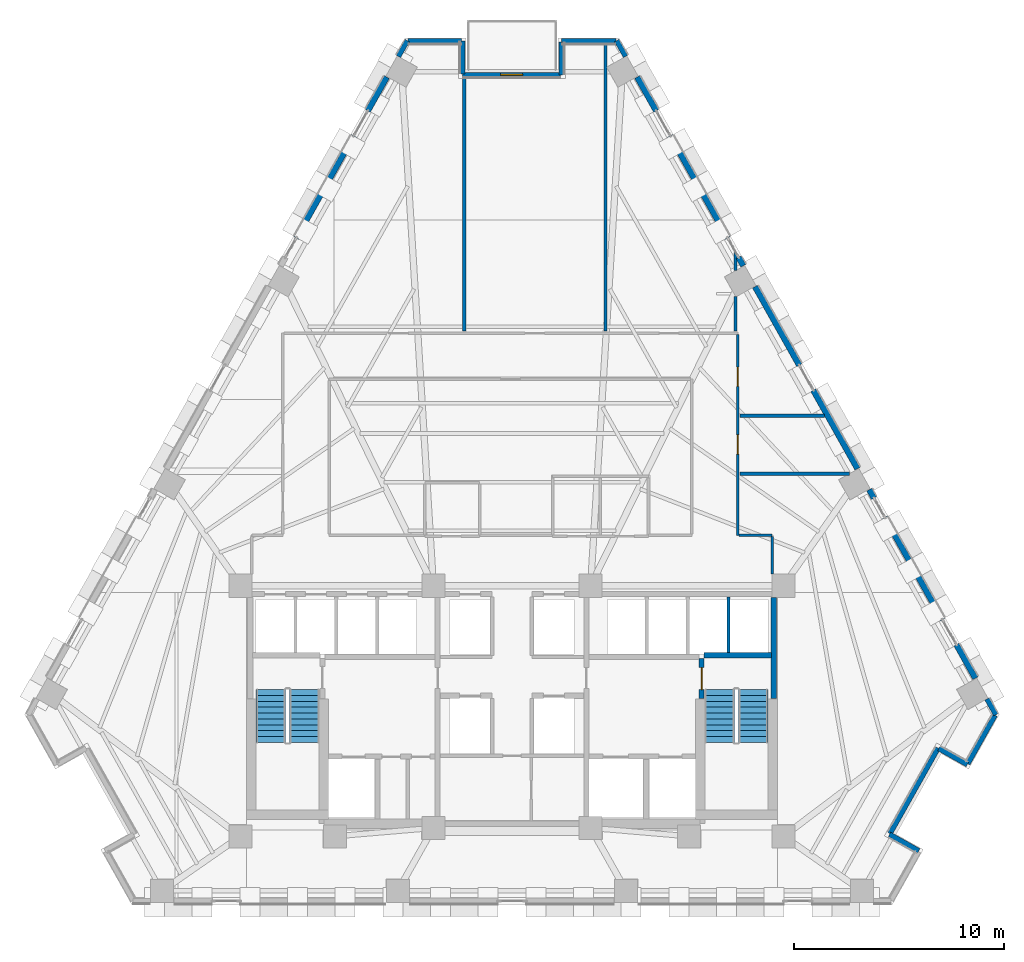
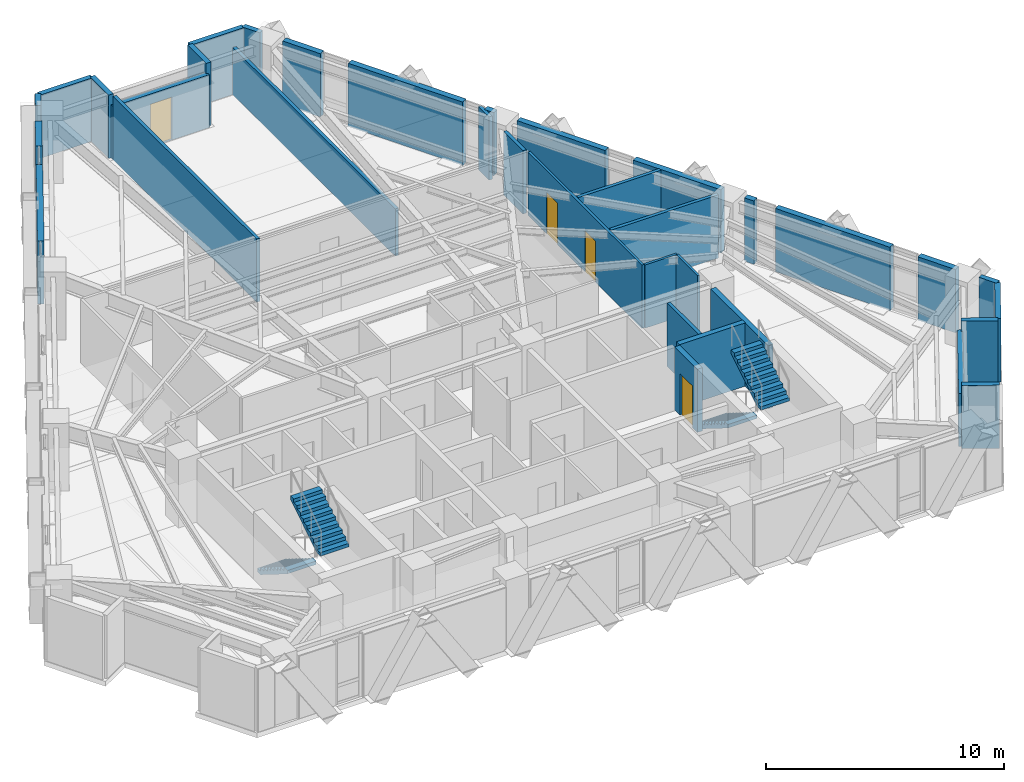
# One storey, part 9 of 13: 35 walls, 4 doors, 4 stair flights, 4 openings, 2 elements without a shape of their own.
"""IFC4 building model written with IfcOpenShell, lengths in metres."""

from ifc_helpers import new_model, si_unit, direction, frame, frame_2d, origin, place, context, subcontext, project, spatial, polyline, rectangle, outline, extrude, material, layer, layer_set, type_object, element, fill, aggregate, save


model = new_model("IFC4")

# Units and contexts
model_context = context("Model", 3, precision=1e-05, world=origin(), true_north=direction((0.0, 1.0)))
body_context = subcontext(model_context, "Body", "Model", "MODEL_VIEW")
ifc_project = project(units=[si_unit("LENGTHUNIT", "METRE"), si_unit("AREAUNIT", "SQUARE_METRE"), si_unit("VOLUMEUNIT", "CUBIC_METRE"), si_unit("PLANEANGLEUNIT", "RADIAN"), si_unit("MASSUNIT", "GRAM", prefix="KILO")], contexts=[model_context])

# Site, building, storey
site_placement = place(None, origin())
site = spatial("IfcSite", under=ifc_project, at=site_placement, CompositionType="ELEMENT")
building_placement = place(site_placement, origin())
building = spatial("IfcBuilding", under=site, at=building_placement, Name="Quenlor Broadcast Tower", CompositionType="ELEMENT")
storey_placement = place(building_placement, frame((0.0, 0.0, 95.0)))
storey = spatial("IfcBuildingStorey", under=building, at=storey_placement, Name="L25", CompositionType="ELEMENT", Elevation=95.0)

# Wall, opening, door
ifc_material_1 = material(Name="Concrete C40/50", Category="concrete")
ifc_layer_1 = layer(ifc_material_1, 0.25)
ifc_layer_set_1 = layer_set([ifc_layer_1], Name="Fire Rated Concrete C40/50 Core Wall 250")
wall_type_1 = type_object("IfcWallType", Name="Fire Rated Concrete C40/50 Core Wall 250", PredefinedType="PARTITIONING", material=ifc_layer_set_1)
wall_1_placement = place(storey_placement, frame((9.0400390625, -10.179931640625, 0.0), z_axis=(0.0, 0.0, 1.0), x_axis=(0.0, 1.0, 0.0)))
wall_1 = element("IfcWall", 1, at=wall_1_placement, inside=storey, type_object=wall_type_1, Name="L25 Interior Wall CW-ST2-DR", PredefinedType="PARTITIONING", context=body_context, shape_type="SweptSolid", body=[
    extrude(rectangle(XDim=1.89990234375, YDim=0.25, at=frame_2d((0.949951171875, 0.0))), origin(), (0.0, 0.0, 1.0), 3.25),
])
opening_1_placement = place(wall_1_placement, frame((0.419921875, 0.0, 0.0)))
opening_1 = element("IfcOpeningElement", 2, at=opening_1_placement, cuts=wall_1, Name="Opening FD-1", PredefinedType="OPENING", context=body_context, shape_type="SweptSolid", body=[
    extrude(rectangle(XDim=1.050048828125, YDim=2.14990234375, at=frame_2d((0.52490234375, 1.074951171875))), frame((0.0, 0.135009765625, 0.0), z_axis=(0.0, -1.0, 0.0), x_axis=(1.0, 0.0, 0.0)), (0.0, 0.0, 1.0), 0.27001953125),
])
ifc_material_2 = material(Name="Fire Rated Steel Door Leaf", Category="steel")
door_type_1 = type_object("IfcDoorType", Name="Fire Isolated Stair Door 1050x2150", OperationType="NOTDEFINED", PredefinedType="DOOR", material=ifc_material_2)
door_1_placement = place(opening_1_placement, origin())
door_1 = element("IfcDoor", 3, at=door_1_placement, inside=storey, type_object=door_type_1, Name="L25 Door DR-ST2", OperationType="SINGLE_SWING_RIGHT", OverallHeight=2.14990234375, OverallWidth=1.050048828125, PredefinedType="DOOR", context=body_context, shape_type="SweptSolid", body=[
    extrude(rectangle(XDim=1.050048828125, YDim=2.14990234375, at=frame_2d((0.52490234375, 1.074951171875))), frame((0.0, 0.02490234375, 0.0), z_axis=(0.0, -1.0, 0.0), x_axis=(1.0, 0.0, 0.0)), (0.0, 0.0, 1.0), 0.050048828125),
])
fill(opening_1, door_1)

# Walls
wall_2_placement = place(storey_placement, frame((9.159912109375, -8.1201171875, 0.0), z_axis=(0.0, 0.0, 1.0), x_axis=(1.0, 0.0, 0.0)))
element("IfcWall", 4, at=wall_2_placement, inside=storey, type_object=wall_type_1, Name="L25 Interior Wall CW-ST2-N", PredefinedType="PARTITIONING", context=body_context, shape_type="SweptSolid", body=[
    extrude(rectangle(XDim=3.219970703125, YDim=0.25, at=frame_2d((1.60986328125, 0.0))), origin(), (0.0, 0.0, 1.0), 3.25),
])
wall_3_placement = place(storey_placement, frame((12.47998046875, -10.179931640625, 0.0), z_axis=(0.0, 0.0, 1.0), x_axis=(0.0, 1.0, 0.0)))
element("IfcWall", 5, at=wall_3_placement, inside=storey, type_object=wall_type_1, Name="L25 Interior Wall CW-ST2-E2", PredefinedType="PARTITIONING", context=body_context, shape_type="SweptSolid", body=[
    extrude(rectangle(XDim=4.827880859375, YDim=0.25, at=frame_2d((2.4140625, 0.0))), origin(), (0.0, 0.0, 1.0), 3.25),
])
ifc_material_3 = material(Name="Gypsum Fireboard Partition", Category="other")
ifc_layer_2 = layer(ifc_material_3, 0.159912109375)
ifc_layer_set_2 = layer_set([ifc_layer_2], Name="Fire Rated Shaft and Corridor Partition 160")
wall_type_2 = type_object("IfcWallType", Name="Fire Rated Shaft and Corridor Partition 160", PredefinedType="PARTITIONING", material=ifc_layer_set_2)
wall_4_placement = place(storey_placement, frame((10.324951171875, -7.992919921875, 0.0), z_axis=(0.0, 0.0, 1.0), x_axis=(0.0, 1.0, 0.0)))
element("IfcWall", 6, at=wall_4_placement, inside=storey, type_object=wall_type_2, Name="L25 Interior Wall CW-PLH-D3", PredefinedType="PARTITIONING", context=body_context, shape_type="SweptSolid", body=[
    extrude(rectangle(XDim=2.65283203125, YDim=0.159912109375, at=frame_2d((1.326416015625, 0.0))), origin(), (0.0, 0.0, 1.0), 3.25),
])
wall_5_placement = place(storey_placement, frame((-2.280029296875, 7.360107421875, 0.0), z_axis=(0.0, 0.0, 1.0), x_axis=(0.0, 1.0, 0.0)))
element("IfcWall", 7, at=wall_5_placement, inside=storey, type_object=wall_type_2, Name="L25 Interior Wall PW-DV-01", PredefinedType="PARTITIONING", context=body_context, shape_type="SweptSolid", body=[
    extrude(rectangle(XDim=12.0859375, YDim=0.159912109375, at=frame_2d((6.04296875, 0.0))), origin(), (0.0, 0.0, 1.0), 3.25),
])
wall_6_placement = place(storey_placement, frame((4.4599609375, 21.0458984375, 0.0), z_axis=(0.0, 0.0, 1.0), x_axis=(0.0, -1.0, 0.0)))
element("IfcWall", 8, at=wall_6_placement, inside=storey, type_object=wall_type_2, Name="L25 Interior Wall PW-DV-02", PredefinedType="PARTITIONING", context=body_context, shape_type="SweptSolid", body=[
    extrude(rectangle(XDim=13.685791015625, YDim=0.159912109375, at=frame_2d((6.8427734375, 0.0))), origin(), (0.0, 0.0, 1.0), 2.43408203125),
])
wall_7_placement = place(storey_placement, frame((10.659912109375, 11.10205078125, 0.0), z_axis=(0.0, 0.0, 1.0), x_axis=(0.0, -1.0, 0.0)))
element("IfcWall", 9, at=wall_7_placement, inside=storey, type_object=wall_type_2, Name="L25 Interior Wall PW-DV-03", PredefinedType="PARTITIONING", context=body_context, shape_type="SweptSolid", body=[
    extrude(rectangle(XDim=0.876708984375, YDim=0.159912109375, at=frame_2d((0.4384765625, 0.0))), origin(), (0.0, 0.0, 1.0), 3.25),
])
wall_8_placement = place(storey_placement, frame((10.659912109375, 8.9970703125, 0.0), z_axis=(0.0, 0.0, 1.0), x_axis=(0.0, -1.0, 0.0)))
element("IfcWall", 10, at=wall_8_placement, inside=storey, type_object=wall_type_2, Name="L25 Interior Wall PW-DV-03S2", PredefinedType="PARTITIONING", context=body_context, shape_type="SweptSolid", body=[
    extrude(rectangle(XDim=1.636962890625, YDim=0.159912109375, at=frame_2d((0.818359375, 0.0))), origin(), (0.0, 0.0, 1.0), 3.25),
])
wall_9_placement = place(storey_placement, frame((14.897216796875, 3.300048828125, 0.0), z_axis=(0.0, 0.0, 1.0), x_axis=(-1.0, 0.0, 0.0)))
element("IfcWall", 11, at=wall_9_placement, inside=storey, type_object=wall_type_2, Name="L25 Interior Wall PW-DV-04", PredefinedType="PARTITIONING", context=body_context, shape_type="SweptSolid", body=[
    extrude(rectangle(XDim=4.01220703125, YDim=0.159912109375, at=frame_2d((2.006103515625, 0.0))), origin(), (0.0, 0.0, 1.0), 3.25),
])
wall_10_placement = place(storey_placement, frame((16.08740234375, 0.539794921875, 0.0), z_axis=(0.0, 0.0, 1.0), x_axis=(-1.0, 0.0, 0.0)))
element("IfcWall", 12, at=wall_10_placement, inside=storey, type_object=wall_type_2, Name="L25 Interior Wall PW-DV-05", PredefinedType="PARTITIONING", context=body_context, shape_type="SweptSolid", body=[
    extrude(rectangle(XDim=5.202392578125, YDim=0.159912109375, at=frame_2d((2.60107421875, 0.0))), origin(), (0.0, 0.0, 1.0), 3.25),
])

# Wall, openings, doors
ifc_material_4 = material(Name="Gypsum Plasterboard Partition", Category="other")
ifc_layer_3 = layer(ifc_material_4, 0.1201171875)
ifc_layer_set_3 = layer_set([ifc_layer_3], Name="Standard Office Partition 120")
wall_type_3 = type_object("IfcWallType", Name="Standard Office Partition 120", PredefinedType="PARTITIONING", material=ifc_layer_set_3)
wall_11_placement = place(storey_placement, frame((10.77490234375, 7.18798828125, 0.0), z_axis=(0.0, 0.0, 1.0), x_axis=(0.0, -1.0, 0.0)))
wall_11 = element("IfcWall", 13, at=wall_11_placement, inside=storey, type_object=wall_type_3, Name="L25 Interior Wall PW-CR-04", PredefinedType="PARTITIONING", context=body_context, shape_type="SweptSolid", body=[
    extrude(rectangle(XDim=9.587890625, YDim=0.1201171875, at=frame_2d((4.7939453125, 0.0))), origin(), (0.0, 0.0, 1.0), 3.25),
])
opening_2_placement = place(wall_11_placement, frame((1.56201171875, 0.0, 0.0)))
opening_2 = element("IfcOpeningElement", 14, at=opening_2_placement, cuts=wall_11, Name="Opening ID-1", PredefinedType="OPENING", context=body_context, shape_type="SweptSolid", body=[
    extrude(rectangle(XDim=0.919921875, YDim=2.1201171875, at=frame_2d((0.4599609375, 1.06005859375))), frame((0.0, 0.070068359375, 0.0), z_axis=(0.0, -1.0, 0.0), x_axis=(1.0, 0.0, 0.0)), (0.0, 0.0, 1.0), 0.14013671875),
])
opening_3_placement = place(wall_11_placement, frame((4.7880859375, 0.0, 0.0)))
opening_3 = element("IfcOpeningElement", 15, at=opening_3_placement, cuts=wall_11, Name="Opening ID-1", PredefinedType="OPENING", context=body_context, shape_type="SweptSolid", body=[
    extrude(rectangle(XDim=0.919921875, YDim=2.1201171875, at=frame_2d((0.4599609375, 1.06005859375))), frame((0.0, 0.070068359375, 0.0), z_axis=(0.0, -1.0, 0.0), x_axis=(1.0, 0.0, 0.0)), (0.0, 0.0, 1.0), 0.14013671875),
])
ifc_material_5 = material(Name="Solid Core Timber Oak", Category="wood")
door_type_2 = type_object("IfcDoorType", Name="Single Leaf Timber Office Door 920x2120", OperationType="NOTDEFINED", PredefinedType="DOOR", material=ifc_material_5)
door_2_placement = place(opening_2_placement, origin())
door_2 = element("IfcDoor", 16, at=door_2_placement, inside=storey, type_object=door_type_2, Name="L25 Door DR-RM04", OperationType="SINGLE_SWING_LEFT", OverallHeight=2.1201171875, OverallWidth=0.919921875, PredefinedType="DOOR", context=body_context, shape_type="SweptSolid", body=[
    extrude(rectangle(XDim=0.919921875, YDim=2.1201171875, at=frame_2d((0.4599609375, 1.06005859375))), frame((0.0, 0.02490234375, 0.0), z_axis=(0.0, -1.0, 0.0), x_axis=(1.0, 0.0, 0.0)), (0.0, 0.0, 1.0), 0.050048828125),
])
fill(opening_2, door_2)
door_3_placement = place(opening_3_placement, origin())
door_3 = element("IfcDoor", 17, at=door_3_placement, inside=storey, type_object=door_type_2, Name="L25 Door DR-RM06", OperationType="SINGLE_SWING_LEFT", OverallHeight=2.1201171875, OverallWidth=0.919921875, PredefinedType="DOOR", context=body_context, shape_type="SweptSolid", body=[
    extrude(rectangle(XDim=0.919921875, YDim=2.1201171875, at=frame_2d((0.4599609375, 1.06005859375))), frame((0.0, 0.02490234375, 0.0), z_axis=(0.0, -1.0, 0.0), x_axis=(1.0, 0.0, 0.0)), (0.0, 0.0, 1.0), 0.050048828125),
])
fill(opening_3, door_3)

# Walls
wall_12_placement = place(storey_placement, frame((10.8369140625, -2.39990234375, 0.0), z_axis=(0.0, 0.0, 1.0), x_axis=(1.0, 0.0, 0.0)))
element("IfcWall", 18, at=wall_12_placement, inside=storey, type_object=wall_type_3, Name="L25 Interior Wall PW-CR-05", PredefinedType="PARTITIONING", context=body_context, shape_type="SweptSolid", body=[
    extrude(rectangle(XDim=1.572998046875, YDim=0.1201171875, at=frame_2d((0.78662109375, 0.0))), origin(), (0.0, 0.0, 1.0), 3.25),
])
wall_13_placement = place(storey_placement, frame((12.409912109375, -2.4619140625, 0.0), z_axis=(0.0, 0.0, 1.0), x_axis=(0.0, -1.0, 0.0)))
element("IfcWall", 19, at=wall_13_placement, inside=storey, type_object=wall_type_3, Name="L25 Interior Wall PW-CR-06", PredefinedType="PARTITIONING", context=body_context, shape_type="SweptSolid", body=[
    extrude(rectangle(XDim=1.7861328125, YDim=0.1201171875, at=frame_2d((0.89306640625, 0.0))), origin(), (0.0, 0.0, 1.0), 3.25),
])
ifc_material_6 = material(Name="Precast concrete C40/50", Category="concrete")
ifc_layer_4 = layer(ifc_material_6, 0.239990234375)
ifc_layer_set_4 = layer_set([ifc_layer_4], Name="Terrace Threshold Precast Concrete C40/50 Wall 240")
wall_type_4 = type_object("IfcWallType", Name="Terrace Threshold Precast Concrete C40/50 Wall 240", PredefinedType="STANDARD", material=ifc_layer_set_4)
for number, where, z_axis, x_axis, name in (
    (20, (4.992919921875, 21.197265625, 0.0), (0.0, 0.0, 1.0), (0.490355003566, -0.871522788272, 0.0), "L25 Exterior Wall L25-SHD-NES0"),
    (21, (22.65380859375, -10.199951171875, 0.0), (0.0, 0.0, 1.0), (0.490355003566, -0.871522788272, 0.0), "L25 Exterior Wall L25-SHD-NES1"),
    (22, (-5.417236328125, 20.443115234375, 0.0), (0.0, 0.0, 1.0), (0.490355003566, 0.871522788272, 0.0), "L25 Exterior Wall L25-SHD-NWS1"),
):
    element("IfcWall", number, at=place(storey_placement, frame(where, z_axis=z_axis, x_axis=x_axis)), inside=storey, type_object=wall_type_4, Name=name, PredefinedType="STANDARD", context=body_context, shape_type="SweptSolid", body=[
        extrude(rectangle(XDim=0.865234375, YDim=0.239990234375, at=frame_2d((0.4326171875, 0.0))), origin(), (0.0, 0.0, 1.0), 3.25),
    ])
wall_14_placement = place(storey_placement, frame((19.39892578125, -17.4423828125, 0.0), z_axis=(0.0, 0.0, 1.0), x_axis=(-0.871575537125, 0.490261239633, 0.0)))
element("IfcWall", 23, at=wall_14_placement, inside=storey, type_object=wall_type_4, Name="L25 Exterior Wall L25-CNR-01", PredefinedType="STANDARD", context=body_context, shape_type="SweptSolid", body=[
    extrude(rectangle(XDim=1.60009765625, YDim=0.239990234375, at=frame_2d((0.800048828125, 0.0))), origin(), (0.0, 0.0, 1.0), 3.25),
])
wall_15_placement = place(storey_placement, frame((18.024169921875, -16.623046875, 0.0), z_axis=(0.0, 0.0, 1.0), x_axis=(0.490273623647, 0.871568571001, 0.0)))
element("IfcWall", 24, at=wall_15_placement, inside=storey, type_object=wall_type_4, Name="L25 Exterior Wall L25-CNR-02", PredefinedType="STANDARD", context=body_context, shape_type="SweptSolid", body=[
    extrude(rectangle(XDim=4.679931640625, YDim=0.239990234375, at=frame_2d((2.33984375, 0.0))), origin(), (0.0, 0.0, 1.0), 2.7216796875),
])
wall_16_placement = place(storey_placement, frame((20.353515625, -12.563720703125, 0.0), z_axis=(0.0, 0.0, 1.0), x_axis=(0.871546278971, -0.490313250496, 0.0)))
element("IfcWall", 25, at=wall_16_placement, inside=storey, type_object=wall_type_4, Name="L25 Exterior Wall L25-CNR-03", PredefinedType="STANDARD", context=body_context, shape_type="SweptSolid", body=[
    extrude(rectangle(XDim=1.56005859375, YDim=0.239990234375, at=frame_2d((0.780029296875, 0.0))), origin(), (0.0, 0.0, 1.0), 3.25),
])
wall_17_placement = place(storey_placement, frame((21.732666015625, -13.293701171875, 0.0), z_axis=(0.0, 0.0, 1.0), x_axis=(0.490265590412, 0.871573089797, 0.0)))
element("IfcWall", 26, at=wall_17_placement, inside=storey, type_object=wall_type_4, Name="L25 Exterior Wall L25-CNR-04", PredefinedType="STANDARD", context=body_context, shape_type="SweptSolid", body=[
    extrude(rectangle(XDim=2.6640625, YDim=0.239990234375, at=frame_2d((1.33203125, 0.0))), origin(), (0.0, 0.0, 1.0), 3.25),
])
wall_18_placement = place(storey_placement, frame((4.95947265625, 21.16796875, 0.0), z_axis=(0.0, 0.0, 1.0), x_axis=(-1.0, 0.0, 0.0)))
element("IfcWall", 27, at=wall_18_placement, inside=storey, type_object=wall_type_4, Name="L25 Exterior Wall L25-CNR-06", PredefinedType="STANDARD", context=body_context, shape_type="SweptSolid", body=[
    extrude(rectangle(XDim=2.599365234375, YDim=0.239990234375, at=frame_2d((1.2998046875, 0.0))), origin(), (0.0, 0.0, 1.0), 3.25),
])
wall_19_placement = place(storey_placement, frame((2.360107421875, 21.1279296875, 0.0), z_axis=(0.0, 0.0, 1.0), x_axis=(0.0, -1.0, 0.0)))
element("IfcWall", 28, at=wall_19_placement, inside=storey, type_object=wall_type_4, Name="L25 Exterior Wall L25-CNR-07", PredefinedType="STANDARD", context=body_context, shape_type="SweptSolid", body=[
    extrude(rectangle(XDim=1.559814453125, YDim=0.239990234375, at=frame_2d((0.77978515625, 0.0))), origin(), (0.0, 0.0, 1.0), 3.25),
])

# Wall, opening, door
wall_20_placement = place(storey_placement, frame((2.320068359375, 19.568115234375, 0.0), z_axis=(0.0, 0.0, 1.0), x_axis=(-1.0, 0.0, 0.0)))
wall_20 = element("IfcWall", 29, at=wall_20_placement, inside=storey, type_object=wall_type_4, Name="L25 Exterior Wall L25-CNR-08", PredefinedType="STANDARD", context=body_context, shape_type="SweptSolid", body=[
    extrude(rectangle(XDim=4.68017578125, YDim=0.239990234375, at=frame_2d((2.340087890625, 0.0))), origin(), (0.0, 0.0, 1.0), 2.7216796875),
])
opening_4_placement = place(wall_20_placement, frame((1.81494140625, 0.0, 0.0)))
opening_4 = element("IfcOpeningElement", 30, at=opening_4_placement, cuts=wall_20, Name="Opening ED-3", PredefinedType="OPENING", context=body_context, shape_type="SweptSolid", body=[
    extrude(rectangle(XDim=1.050048828125, YDim=2.199951171875, at=frame_2d((0.52490234375, 1.10009765625))), frame((0.0, 0.1298828125, 0.0), z_axis=(0.0, -1.0, 0.0), x_axis=(1.0, 0.0, 0.0)), (0.0, 0.0, 1.0), 0.260009765625),
])
ifc_material_7 = material(Name="Anodised Aluminium and Toughened Glass", Category="aluminium")
door_type_3 = type_object("IfcDoorType", Name="Outdoor Terrace Glazed Access Door 1050x2200", OperationType="NOTDEFINED", PredefinedType="DOOR", material=ifc_material_7)
door_4_placement = place(opening_4_placement, origin())
door_4 = element("IfcDoor", 31, at=door_4_placement, inside=storey, type_object=door_type_3, Name="L25 Sky Lobby Terrace Access Door", OperationType="SINGLE_SWING_RIGHT", OverallHeight=2.199951171875, OverallWidth=1.050048828125, PredefinedType="DOOR", context=body_context, shape_type="SweptSolid", body=[
    extrude(rectangle(XDim=1.050048828125, YDim=2.199951171875, at=frame_2d((0.52490234375, 1.10009765625))), frame((0.0, 0.02490234375, 0.0), z_axis=(0.0, -1.0, 0.0), x_axis=(1.0, 0.0, 0.0)), (0.0, 0.0, 1.0), 0.050048828125),
])
fill(opening_4, door_4)

# Walls
wall_21_placement = place(storey_placement, frame((-2.360107421875, 19.60791015625, 0.0), z_axis=(0.0, 0.0, 1.0), x_axis=(0.0, 1.0, 0.0)))
element("IfcWall", 32, at=wall_21_placement, inside=storey, type_object=wall_type_4, Name="L25 Exterior Wall L25-CNR-09", PredefinedType="STANDARD", context=body_context, shape_type="SweptSolid", body=[
    extrude(rectangle(XDim=1.56005859375, YDim=0.239990234375, at=frame_2d((0.780029296875, 0.0))), origin(), (0.0, 0.0, 1.0), 3.25),
])
wall_22_placement = place(storey_placement, frame((-2.39990234375, 21.16796875, 0.0), z_axis=(0.0, 0.0, 1.0), x_axis=(-1.0, 0.0, 0.0)))
element("IfcWall", 33, at=wall_22_placement, inside=storey, type_object=wall_type_4, Name="L25 Exterior Wall L25-CNR-10", PredefinedType="STANDARD", context=body_context, shape_type="SweptSolid", body=[
    extrude(rectangle(XDim=2.5595703125, YDim=0.239990234375, at=frame_2d((1.27978515625, 0.0))), origin(), (0.0, 0.0, 1.0), 3.25),
])
ifc_material_8 = material(Name="Precast concrete C40/50", Category="concrete")
ifc_layer_5 = layer(ifc_material_8, 0.280029296875)
ifc_layer_set_5 = layer_set([ifc_layer_5], Name="Terracotta Precast Concrete C40/50 Facade Wall 280")
wall_type_5 = type_object("IfcWallType", Name="Terracotta Precast Concrete C40/50 Facade Wall 280", PredefinedType="STANDARD", material=ifc_layer_set_5)
wall_23_placement = place(storey_placement, frame((5.97119140625, 19.458251953125, 0.0), z_axis=(0.0, 0.0, 1.0), x_axis=(0.490280102884, -0.871564926277, 0.0)))
element("IfcWall", 34, at=wall_23_placement, inside=storey, type_object=wall_type_5, Name="L25 Exterior Wall L25-NEA-SP1", PredefinedType="STANDARD", context=body_context, shape_type="SweptSolid", body=[
    extrude(rectangle(XDim=1.843505859375, YDim=0.280029296875, at=frame_2d((0.921875, 0.0))), origin(), (0.0, 0.0, 1.0), 3.25),
])
wall_24_placement = place(storey_placement, frame((7.543701171875, 16.662353515625, 0.0), z_axis=(0.0, 0.0, 1.0), x_axis=(0.490298514233, -0.871554569113, 0.0)))
element("IfcWall", 35, at=wall_24_placement, inside=storey, type_object=wall_type_5, Name="L25 Exterior Wall L25-NEA-SP2", PredefinedType="STANDARD", context=body_context, shape_type="SweptSolid", body=[
    extrude(rectangle(XDim=5.597412109375, YDim=0.280029296875, at=frame_2d((2.798828125, 0.0))), origin(), (0.0, 0.0, 1.0), 3.25),
])
for number, where, z_axis, x_axis, name in (
    (36, (10.806396484375, 10.862060546875, 0.0), (0.0, 0.0, 1.0), (0.490412424957, -0.871490478116, 0.0), "L25 Exterior Wall L25-NEA-SP3"),
    (37, (17.0390625, -0.218017578125, 0.0), (0.0, 0.0, 1.0), (0.490009165718, -0.871717280724, 0.0), "L25 Exterior Wall L25-NEC-SP1"),
):
    element("IfcWall", number, at=place(storey_placement, frame(where, z_axis=z_axis, x_axis=x_axis)), inside=storey, type_object=wall_type_5, Name=name, PredefinedType="STANDARD", context=body_context, shape_type="SweptSolid", body=[
        extrude(rectangle(XDim=0.4599609375, YDim=0.280029296875, at=frame_2d((0.22998046875, 0.0))), origin(), (0.0, 0.0, 1.0), 3.25),
    ])
wall_25_placement = place(storey_placement, frame((17.782958984375, -1.540771484375, 0.0), z_axis=(0.0, 0.0, 1.0), x_axis=(0.490265381388, -0.871573207374, 0.0)))
element("IfcWall", 38, at=wall_25_placement, inside=storey, type_object=wall_type_5, Name="L25 Exterior Wall L25-NEC-SP2", PredefinedType="STANDARD", context=body_context, shape_type="SweptSolid", body=[
    extrude(rectangle(XDim=5.59716796875, YDim=0.280029296875, at=frame_2d((2.798583984375, 0.0))), origin(), (0.0, 0.0, 1.0), 3.25),
])
wall_26_placement = place(storey_placement, frame((21.196044921875, -7.6083984375, 0.0), z_axis=(0.0, 0.0, 1.0), x_axis=(0.490280102884, -0.871564926277, 0.0)))
element("IfcWall", 39, at=wall_26_placement, inside=storey, type_object=wall_type_5, Name="L25 Exterior Wall L25-NEC-SP3", PredefinedType="STANDARD", context=body_context, shape_type="SweptSolid", body=[
    extrude(rectangle(XDim=1.843505859375, YDim=0.280029296875, at=frame_2d((0.921875, 0.0))), origin(), (0.0, 0.0, 1.0), 3.25),
])
for number, where, z_axis, x_axis, name in (
    (40, (11.59326171875, 9.463134765625, 0.0), (0.0, 0.0, 1.0), (0.490293592365, -0.871557337922, 0.0), "L25 Exterior Wall L25-NE-SP1"),
    (41, (14.369873046875, 4.527099609375, 0.0), (0.0, 0.0, 1.0), (0.490293592365, -0.871557337922, 0.0), "L25 Exterior Wall L25-NE-SP2"),
):
    element("IfcWall", number, at=place(storey_placement, frame(where, z_axis=z_axis, x_axis=x_axis)), inside=storey, type_object=wall_type_5, Name=name, PredefinedType="STANDARD", context=body_context, shape_type="SweptSolid", body=[
        extrude(rectangle(XDim=4.29931640625, YDim=0.280029296875, at=frame_2d((2.149658203125, 0.0))), origin(), (0.0, 0.0, 1.0), 3.25),
    ])
wall_27_placement = place(storey_placement, frame((-10.2880859375, 11.783935546875, 0.0), z_axis=(0.0, 0.0, 1.0), x_axis=(0.490298514233, 0.871554569113, 0.0)))
element("IfcWall", 42, at=wall_27_placement, inside=storey, type_object=wall_type_5, Name="L25 Exterior Wall L25-NWC-SP2", PredefinedType="STANDARD", context=body_context, shape_type="SweptSolid", body=[
    extrude(rectangle(XDim=5.597412109375, YDim=0.280029296875, at=frame_2d((2.798828125, 0.0))), origin(), (0.0, 0.0, 1.0), 3.25),
])
wall_28_placement = place(storey_placement, frame((-6.875, 17.8515625, 0.0), z_axis=(0.0, 0.0, 1.0), x_axis=(0.490280102884, 0.871564926277, 0.0)))
element("IfcWall", 43, at=wall_28_placement, inside=storey, type_object=wall_type_5, Name="L25 Exterior Wall L25-NWC-SP3", PredefinedType="STANDARD", context=body_context, shape_type="SweptSolid", body=[
    extrude(rectangle(XDim=1.843505859375, YDim=0.280029296875, at=frame_2d((0.921875, 0.0))), origin(), (0.0, 0.0, 1.0), 3.25),
])

# Stair, stair flights
ifc_material_9 = material(Name="Precast concrete C40/50", Category="concrete")
stair_type = type_object("IfcStairType", Name="Precast Concrete C40/50 Dogleg Stair H350", PredefinedType="HALF_TURN_STAIR", material=ifc_material_9)
stair_1_placement = place(storey_placement, origin())
stair_1 = element("IfcStair", 44, at=stair_1_placement, inside=storey, type_object=stair_type, Name="L25 West Core Fire-Isolated Exit Stair ST-1", PredefinedType="HALF_TURN_STAIR")
ifc_material_10 = material(Name="Precast concrete C40/50", Category="concrete")
ifc_layer_6 = layer(ifc_material_10, 0.159912109375)
ifc_layer_set_6 = layer_set([ifc_layer_6], Name="Precast Concrete C40/50 Stair Flight H350")
stair_flight_type = type_object("IfcStairFlightType", Name="Precast Concrete C40/50 Stair Flight H350", PredefinedType="STRAIGHT", material=ifc_layer_set_6)
stair_flight_1_placement = place(storey_placement, frame((-11.5, -9.75, 0.0), z_axis=(0.0, 0.0, 1.0), x_axis=(0.0, -1.0, 0.0)))
stair_flight_1 = element("IfcStairFlight", 45, at=stair_flight_1_placement, type_object=stair_flight_type, Name="ST-1 flight 1", NumberOfRisers=10, NumberOfTreads=9, PredefinedType="STRAIGHT", RiserHeight=0.175, TreadLength=0.28, context=body_context, shape_type="SweptSolid", body=[
    extrude(outline(polyline([(0.0, 0.0), (0.0, 0.175048828125), (0.280029296875, 0.175048828125), (0.280029296875, 0.35009765625), (0.56005859375, 0.35009765625), (0.56005859375, 0.52490234375), (0.840087890625, 0.52490234375), (0.840087890625, 0.699951171875), (1.1201171875, 0.699951171875), (1.1201171875, 0.875), (1.39990234375, 0.875), (1.39990234375, 1.050048828125), (1.679931640625, 1.050048828125), (1.679931640625, 1.22509765625), (1.9599609375, 1.22509765625), (1.9599609375, 1.39990234375), (2.239990234375, 1.39990234375), (2.239990234375, 1.574951171875), (2.52001953125, 1.574951171875), (2.52001953125, 1.75), (2.52001953125, 1.398193359375), (0.28271484375, 0.0), (0.0, 0.0)])), frame((0.0, 0.699951171875, 0.0), z_axis=(0.0, -1.0, 0.0), x_axis=(1.0, 0.0, 0.0)), (0.0, 0.0, 1.0), 1.39990234375),
])
stair_flight_2_placement = place(storey_placement, frame((-9.89990234375, -12.27001953125, 1.75), z_axis=(0.0, 0.0, 1.0), x_axis=(0.0, 1.0, 0.0)))
stair_flight_2 = element("IfcStairFlight", 46, at=stair_flight_2_placement, type_object=stair_flight_type, Name="ST-1 flight 2", NumberOfRisers=10, NumberOfTreads=9, PredefinedType="STRAIGHT", RiserHeight=0.175, TreadLength=0.28, context=body_context, shape_type="SweptSolid", body=[
    extrude(outline(polyline([(0.0, 0.0), (0.0, 0.175048828125), (0.280029296875, 0.175048828125), (0.280029296875, 0.35009765625), (0.56005859375, 0.35009765625), (0.56005859375, 0.52490234375), (0.840087890625, 0.52490234375), (0.840087890625, 0.699951171875), (1.1201171875, 0.699951171875), (1.1201171875, 0.875), (1.39990234375, 0.875), (1.39990234375, 1.050048828125), (1.679931640625, 1.050048828125), (1.679931640625, 1.22509765625), (1.9599609375, 1.22509765625), (1.9599609375, 1.39990234375), (2.239990234375, 1.39990234375), (2.239990234375, 1.574951171875), (2.52001953125, 1.574951171875), (2.52001953125, 1.75), (2.52001953125, 1.398193359375), (0.28271484375, 0.0), (0.0, 0.0)])), frame((0.0, 0.699951171875, 0.0), z_axis=(0.0, -1.0, 0.0), x_axis=(1.0, 0.0, 0.0)), (0.0, 0.0, 1.0), 1.39990234375),
])
aggregate(stair_1, [stair_flight_1, stair_flight_2])

stair_2_placement = place(storey_placement, origin())
stair_2 = element("IfcStair", 47, at=stair_2_placement, inside=storey, type_object=stair_type, Name="L25 East Core Fire-Isolated Exit Stair ST-2", PredefinedType="HALF_TURN_STAIR")
stair_flight_3_placement = place(storey_placement, frame((9.89990234375, -9.75, 0.0), z_axis=(0.0, 0.0, 1.0), x_axis=(0.0, -1.0, 0.0)))
stair_flight_3 = element("IfcStairFlight", 48, at=stair_flight_3_placement, type_object=stair_flight_type, Name="ST-2 flight 1", NumberOfRisers=10, NumberOfTreads=9, PredefinedType="STRAIGHT", RiserHeight=0.175, TreadLength=0.28, context=body_context, shape_type="SweptSolid", body=[
    extrude(outline(polyline([(0.0, 0.0), (0.0, 0.175048828125), (0.280029296875, 0.175048828125), (0.280029296875, 0.35009765625), (0.56005859375, 0.35009765625), (0.56005859375, 0.52490234375), (0.840087890625, 0.52490234375), (0.840087890625, 0.699951171875), (1.1201171875, 0.699951171875), (1.1201171875, 0.875), (1.39990234375, 0.875), (1.39990234375, 1.050048828125), (1.679931640625, 1.050048828125), (1.679931640625, 1.22509765625), (1.9599609375, 1.22509765625), (1.9599609375, 1.39990234375), (2.239990234375, 1.39990234375), (2.239990234375, 1.574951171875), (2.52001953125, 1.574951171875), (2.52001953125, 1.75), (2.52001953125, 1.398193359375), (0.28271484375, 0.0), (0.0, 0.0)])), frame((0.0, 0.699951171875, 0.0), z_axis=(0.0, -1.0, 0.0), x_axis=(1.0, 0.0, 0.0)), (0.0, 0.0, 1.0), 1.39990234375),
])
stair_flight_4_placement = place(storey_placement, frame((11.5, -12.27001953125, 1.75), z_axis=(0.0, 0.0, 1.0), x_axis=(0.0, 1.0, 0.0)))
stair_flight_4 = element("IfcStairFlight", 49, at=stair_flight_4_placement, type_object=stair_flight_type, Name="ST-2 flight 2", NumberOfRisers=10, NumberOfTreads=9, PredefinedType="STRAIGHT", RiserHeight=0.175, TreadLength=0.28, context=body_context, shape_type="SweptSolid", body=[
    extrude(outline(polyline([(0.0, 0.0), (0.0, 0.175048828125), (0.280029296875, 0.175048828125), (0.280029296875, 0.35009765625), (0.56005859375, 0.35009765625), (0.56005859375, 0.52490234375), (0.840087890625, 0.52490234375), (0.840087890625, 0.699951171875), (1.1201171875, 0.699951171875), (1.1201171875, 0.875), (1.39990234375, 0.875), (1.39990234375, 1.050048828125), (1.679931640625, 1.050048828125), (1.679931640625, 1.22509765625), (1.9599609375, 1.22509765625), (1.9599609375, 1.39990234375), (2.239990234375, 1.39990234375), (2.239990234375, 1.574951171875), (2.52001953125, 1.574951171875), (2.52001953125, 1.75), (2.52001953125, 1.398193359375), (0.28271484375, 0.0), (0.0, 0.0)])), frame((0.0, 0.699951171875, 0.0), z_axis=(0.0, -1.0, 0.0), x_axis=(1.0, 0.0, 0.0)), (0.0, 0.0, 1.0), 1.39990234375),
])
aggregate(stair_2, [stair_flight_3, stair_flight_4])

save(model, "model.ifc")
